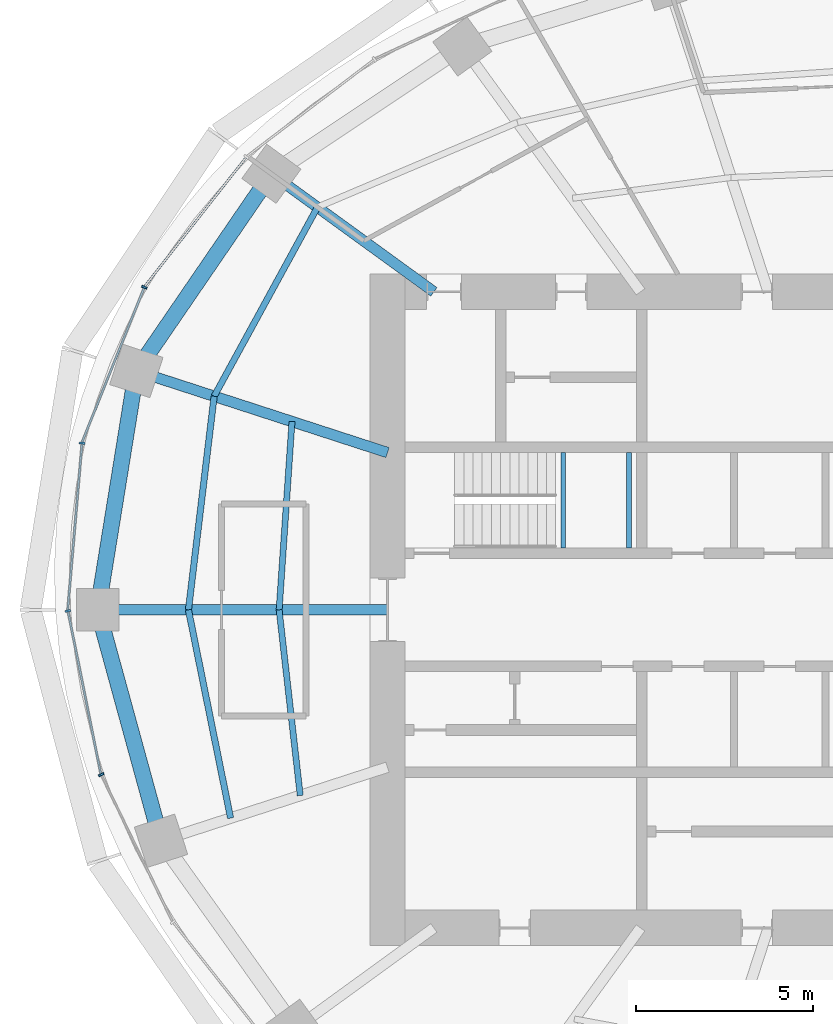
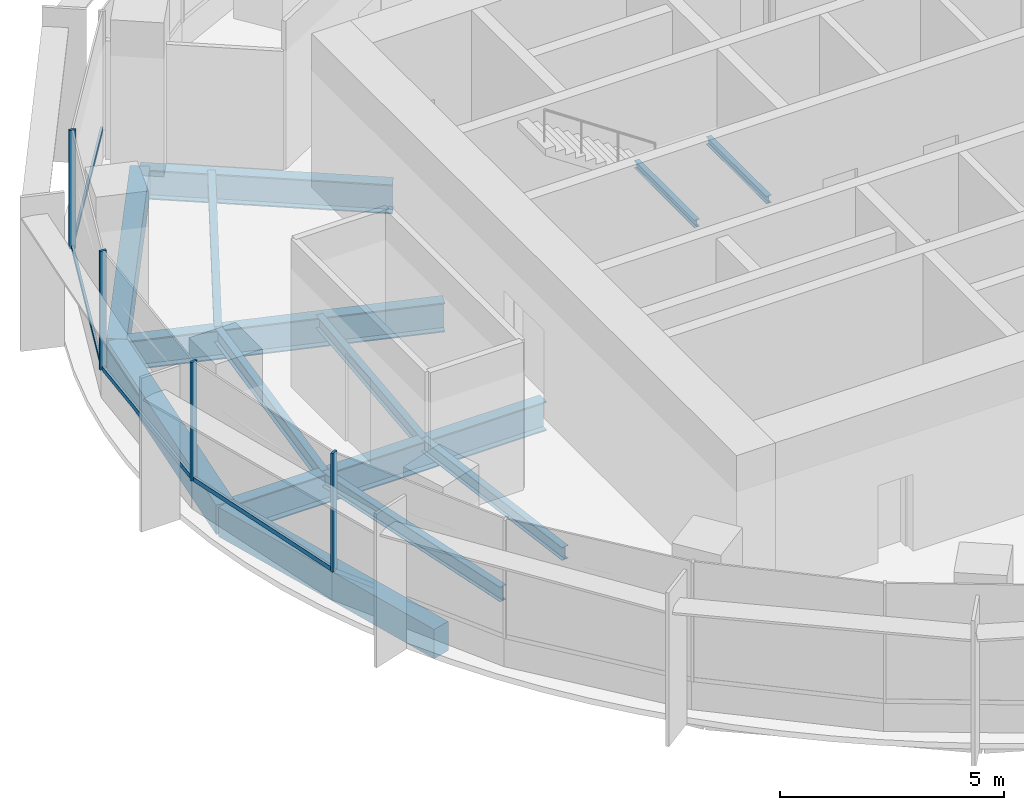
# One storey, part 4 of 13: 13 beams, 8 members, 2 elements without a shape of their own.
"""IFC4 building model written with IfcOpenShell, lengths in metres."""

import ifcopenshell
import ifcopenshell.guid

model = None  # the IFC model being written
_history = None  # IfcOwnerHistory: only IFC2X3 demands one
_inside = {}  # id of a spatial element -> (the spatial element, [elements in it])
_under = {}  # id of a project, library or spatial element -> (it, [spatial elements below it])
_declared = {}  # id of a project -> (the project, [libraries it declares])
_typed = {}  # id of a type object -> (the type object, [elements of that type])
_made_of = {}  # id of a material, layer set ... -> (it, [elements and type objects made of it])


def new_model(schema):
    """Start an empty IFC model of exactly this schema.

    Asked for "IFC4X3", IfcOpenShell would pick the latest addendum, in which some entities
    have other attributes; the version numbers below select the first issue.
    IFC2X3 requires an IfcOwnerHistory on every rooted entity: one is made here for all.
    """
    global model, _history
    if schema == "IFC4X3":
        model = ifcopenshell.file(schema_version=(4, 3, 0, 0))
    else:
        model = ifcopenshell.file(schema=schema)
    _inside.clear()
    _under.clear()
    _declared.clear()
    _typed.clear()
    _made_of.clear()
    _history = None
    if model.schema == "IFC2X3":
        org = make("IfcOrganization", Name="unknown")
        user = make(
            "IfcPersonAndOrganization",
            ThePerson=make("IfcPerson", FamilyName="unknown"),
            TheOrganization=org,
        )
        app = make(
            "IfcApplication",
            ApplicationDeveloper=org,
            Version="unknown",
            ApplicationFullName="unknown",
            ApplicationIdentifier="unknown",
        )
        _history = make(
            "IfcOwnerHistory",
            OwningUser=user,
            OwningApplication=app,
            ChangeAction="ADDED",
            CreationDate=0,
        )
    return model


def make(cls, **values):
    """One entity of the class cls with the attributes given. An attribute that is None is left unset."""
    return model.create_entity(
        cls, **{name: value for name, value in values.items() if value is not None}
    )


def rooted(cls, **values):
    """An entity with a GlobalId (a new one), such as an element, a storey or a relation."""
    return make(cls, GlobalId=ifcopenshell.guid.new(), OwnerHistory=_history, **values)


def si_unit(unit_type, name, prefix=None):
    """IfcSIUnit, for example si_unit("LENGTHUNIT", "METRE", prefix="MILLI")."""
    return make("IfcSIUnit", UnitType=unit_type, Prefix=prefix, Name=name)


def assignment(units):
    """IfcUnitAssignment: the units of a project."""
    return None if units is None else make("IfcUnitAssignment", Units=units)


def point(xyz):
    """IfcCartesianPoint."""
    return None if xyz is None else make("IfcCartesianPoint", Coordinates=xyz)


def direction(xyz):
    """IfcDirection."""
    return None if xyz is None else make("IfcDirection", DirectionRatios=xyz)


def frame(location, z_axis=None, x_axis=None):
    """IfcAxis2Placement3D, a coordinate frame: its origin and axes. An axis left out is left unset."""
    return make(
        "IfcAxis2Placement3D",
        Location=point(location),
        Axis=direction(z_axis),
        RefDirection=direction(x_axis),
    )


def frame_2d(location, x_axis=None):
    """IfcAxis2Placement2D, a coordinate frame in the plane: its origin and x axis."""
    return make(
        "IfcAxis2Placement2D", Location=point(location), RefDirection=direction(x_axis)
    )


def origin():
    """The frame at (0, 0, 0) with its axes left unset."""
    return frame((0.0, 0.0, 0.0))


def origin_2d():
    """The frame at (0, 0) in the plane with its x axis left unset."""
    return frame_2d((0.0, 0.0))


def place(relative_to, where):
    """IfcLocalPlacement: puts the frame where relative to a parent placement (None: the world)."""
    return make(
        "IfcLocalPlacement", PlacementRelTo=relative_to, RelativePlacement=where
    )


def context(
    kind, dimensions, precision=None, world=None, true_north=None, identifier=None
):
    """IfcGeometricRepresentationContext, for example the 3D "Model" context."""
    return make(
        "IfcGeometricRepresentationContext",
        ContextIdentifier=identifier,
        ContextType=kind,
        CoordinateSpaceDimension=dimensions,
        Precision=precision,
        WorldCoordinateSystem=world,
        TrueNorth=true_north,
    )


def subcontext(parent, identifier, kind, view, scale=None):
    """IfcGeometricRepresentationSubContext, for example "Body" below "Model"."""
    return make(
        "IfcGeometricRepresentationSubContext",
        ContextIdentifier=identifier,
        ContextType=kind,
        ParentContext=parent,
        TargetScale=scale,
        TargetView=view,
    )


def project(units=None, contexts=None):
    """IfcProject with its units and contexts."""
    return rooted(
        "IfcProject",
        Name="project",
        RepresentationContexts=contexts,
        UnitsInContext=assignment(units),
    )


def spatial(cls, under=None, at=None, **own):
    """A site, building, storey or space (cls), placed at a placement, below another one or the project."""
    s = rooted(cls, ObjectPlacement=at, **own)
    if under is not None:
        _under.setdefault(under.id(), (under, []))[1].append(s)
    return s


def profile(cls, at=None, kind="AREA", **sizes):
    """A parametric profile (cls). Its sizes go by their IFC names, for example OverallWidth=200.0."""
    return make(cls, ProfileType=kind, Position=at, **sizes)


def rectangle(**sizes):
    """IfcRectangleProfileDef."""
    return profile("IfcRectangleProfileDef", **sizes)


def i_section(**sizes):
    """IfcIShapeProfileDef."""
    return profile("IfcIShapeProfileDef", **sizes)


def extrude(swept, where, along, depth):
    """IfcExtrudedAreaSolid: the profile swept, set in the frame where, extruded along a direction by depth."""
    return make(
        "IfcExtrudedAreaSolid",
        SweptArea=swept,
        Position=where,
        ExtrudedDirection=direction(along),
        Depth=depth,
    )


def shape(context_of_items, identifier, shape_type, items):
    """IfcShapeRepresentation: the items that make up one representation, for example the "Body"."""
    return make(
        "IfcShapeRepresentation",
        ContextOfItems=context_of_items,
        RepresentationIdentifier=identifier,
        RepresentationType=shape_type,
        Items=items,
    )


def material(Name=None, Category=None):
    """IfcMaterial."""
    return make("IfcMaterial", Name=Name, Category=Category)


def material_profile(
    of_material, cross_section, Name=None, Category=None, Priority=None
):
    """IfcMaterialProfile: a cross section and its material."""
    return make(
        "IfcMaterialProfile",
        Name=Name,
        Material=of_material,
        Profile=cross_section,
        Priority=Priority,
        Category=Category,
    )


def profile_set(profiles, Name=None, composite=None):
    """IfcMaterialProfileSet."""
    return make(
        "IfcMaterialProfileSet",
        Name=Name,
        MaterialProfiles=profiles,
        CompositeProfile=composite,
    )


def made_of(thing, what):
    """Note that an element or type object is made of a material, layer set ...; save() writes the relation."""
    if what is not None:
        _made_of.setdefault(what.id(), (what, []))[1].append(thing)
    return thing


def type_object(cls, material=None, **own):
    """A type object (cls), such as IfcWallType, which elements share."""
    return made_of(rooted(cls, **own), material)


def element(
    cls,
    number,
    at=None,
    inside=None,
    cuts=None,
    type_object=None,
    material=None,
    context=None,
    identifier="Body",
    shape_type=None,
    held_by="IfcProductDefinitionShape",
    body=None,
    shapes=None,
    **own,
):
    """One element of the class cls, such as IfcWall. Its Tag is "e" and its number.

    at: its placement. inside: the storey or other place that contains it. cuts: it is an
    opening in that element (IfcRelVoidsElement). A single representation is given by context,
    identifier, shape_type and body (its items); several are given by shapes. held_by: the class
    of the entity that holds the representations. save() writes the other relations.
    """
    e = rooted(cls, Tag="e%d" % number, ObjectPlacement=at, **own)
    if body is not None:
        shapes = [shape(context, identifier, shape_type, body)]
    if shapes is not None:
        e.Representation = make(held_by, Representations=shapes)
    if inside is not None:
        _inside.setdefault(inside.id(), (inside, []))[1].append(e)
    if cuts is not None:
        rooted(
            "IfcRelVoidsElement", RelatingBuildingElement=cuts, RelatedOpeningElement=e
        )
    if type_object is not None:
        _typed.setdefault(type_object.id(), (type_object, []))[1].append(e)
    return made_of(e, material)


def aggregate(whole, parts):
    """IfcRelAggregates: a whole, such as a stair, and the parts it consists of."""
    return rooted("IfcRelAggregates", RelatingObject=whole, RelatedObjects=parts)


def save(model, path):
    """Write the relations noted so far, then the file.

    IfcRelAggregates (storeys below a building ...), IfcRelContainedInSpatialStructure (elements
    in a storey), IfcRelDefinesByType, IfcRelAssociatesMaterial and IfcRelDeclares: one each for
    every whole, place, type object, material and project.
    """
    for whole, parts in _under.values():
        aggregate(whole, parts)
    for where, things in _inside.values():
        rooted(
            "IfcRelContainedInSpatialStructure",
            RelatedElements=things,
            RelatingStructure=where,
        )
    for kind, things in _typed.values():
        rooted("IfcRelDefinesByType", RelatedObjects=things, RelatingType=kind)
    for what, things in _made_of.values():
        rooted("IfcRelAssociatesMaterial", RelatedObjects=things, RelatingMaterial=what)
    for by, libraries in _declared.values():
        rooted("IfcRelDeclares", RelatingContext=by, RelatedDefinitions=libraries)
    model.write(path)


model = new_model("IFC4")

# Units and contexts
model_context = context("Model", 3, precision=1e-05, world=origin(), true_north=direction((0.0, 1.0)))
body_context = subcontext(model_context, "Body", "Model", "MODEL_VIEW")
ifc_project = project(units=[si_unit("LENGTHUNIT", "METRE"), si_unit("AREAUNIT", "SQUARE_METRE"), si_unit("VOLUMEUNIT", "CUBIC_METRE"), si_unit("PLANEANGLEUNIT", "RADIAN"), si_unit("MASSUNIT", "GRAM", prefix="KILO")], contexts=[model_context])

# Site, building, storey
site_placement = place(None, origin())
site = spatial("IfcSite", under=ifc_project, at=site_placement, CompositionType="ELEMENT")
building_placement = place(site_placement, origin())
building = spatial("IfcBuilding", under=site, at=building_placement, Name="Marramba Exchange Tower", CompositionType="ELEMENT")
storey_placement = place(building_placement, frame((0.0, 0.0, 256.0)))
storey = spatial("IfcBuildingStorey", under=building, at=storey_placement, Name="L62", CompositionType="ELEMENT", Elevation=256.0)

# Curtain wall, members
ifc_material_1 = material(Name="Aluminium framing, bronze anodised", Category="aluminium")
curtain_wall_type = type_object("IfcCurtainWallType", Name="Executive floor ribbon curtain wall", PredefinedType="USERDEFINED", material=ifc_material_1)
curtain_wall_1_placement = place(storey_placement, origin())
curtain_wall_1 = element("IfcCurtainWall", 1, at=curtain_wall_1_placement, inside=storey, type_object=curtain_wall_type, Name="Curtain wall CW5 L62 F11-F15", ObjectType="RIBBON CURTAIN WALL", PredefinedType="USERDEFINED")
ifc_material_2 = material(Name="Aluminium mullion, bronze anodised", Category="aluminium")
ifc_material_profile_1 = material_profile(ifc_material_2, rectangle(XDim=0.159912109375, YDim=0.06005859375, at=origin_2d()), Name="CW5 mullion 60x160")
ifc_profile_set_1 = profile_set([ifc_material_profile_1], Name="Aluminium mullion, bronze anodised")
member_type_1 = type_object("IfcMemberType", Name="Executive floor ribbon curtain wall mullion", PredefinedType="MULLION", material=ifc_profile_set_1)
member_1_placement = place(storey_placement, frame((-20.580810546875, 9.13037109375, 0.800048828125), z_axis=(0.0, 0.0, 1.0), x_axis=(0.927838139977, -0.372983090774, 0.0)))
member_1 = element("IfcMember", 2, at=member_1_placement, type_object=member_type_1, Name="CW5 mullion 1", PredefinedType="MULLION", context=body_context, shape_type="SweptSolid", body=[
    extrude(rectangle(XDim=0.159912109375, YDim=0.06005859375, at=origin_2d()), origin(), (0.0, 0.0, 1.0), 3.239990234375),
])
member_2_placement = place(storey_placement, frame((-22.3447265625, 4.718994140625, 0.800048828125), z_axis=(0.0, 0.0, 1.0), x_axis=(0.996331816632, -0.085574009881, 0.0)))
member_2 = element("IfcMember", 3, at=member_2_placement, type_object=member_type_1, Name="CW5 mullion 1", PredefinedType="MULLION", context=body_context, shape_type="SweptSolid", body=[
    extrude(rectangle(XDim=0.159912109375, YDim=0.06005859375, at=origin_2d()), origin(), (0.0, 0.0, 1.0), 3.239990234375),
])

curtain_wall_2_placement = place(storey_placement, origin())
curtain_wall_2 = element("IfcCurtainWall", 4, at=curtain_wall_2_placement, inside=storey, type_object=curtain_wall_type, Name="Curtain wall CW5 L62 F16-F20", ObjectType="RIBBON CURTAIN WALL", PredefinedType="USERDEFINED")
member_3_placement = place(storey_placement, frame((-22.744140625, -0.029296875, 0.800048828125), z_axis=(0.0, 0.0, 1.0), x_axis=(0.980268514856, 0.19767053089, 0.0)))
member_3 = element("IfcMember", 5, at=member_3_placement, type_object=member_type_1, Name="CW5 mullion 1", PredefinedType="MULLION", context=body_context, shape_type="SweptSolid", body=[
    extrude(rectangle(XDim=0.159912109375, YDim=0.06005859375, at=origin_2d()), origin(), (0.0, 0.0, 1.0), 3.239990234375),
])
member_4_placement = place(storey_placement, frame((-21.8017578125, -4.663818359375, 0.800048828125), z_axis=(0.0, 0.0, 1.0), x_axis=(0.89969718031, 0.436514585945, 0.0)))
member_4 = element("IfcMember", 6, at=member_4_placement, type_object=member_type_1, Name="CW5 mullion 1", PredefinedType="MULLION", context=body_context, shape_type="SweptSolid", body=[
    extrude(rectangle(XDim=0.159912109375, YDim=0.06005859375, at=origin_2d()), origin(), (0.0, 0.0, 1.0), 3.239990234375),
])

# Member
ifc_material_3 = material(Name="Aluminium transom, bronze anodised", Category="aluminium")
ifc_material_profile_2 = material_profile(ifc_material_3, rectangle(XDim=0.06005859375, YDim=0.1201171875, at=origin_2d()), Name="CW5 transom 60x120")
ifc_profile_set_2 = profile_set([ifc_material_profile_2], Name="Aluminium transom, bronze anodised")
member_type_2 = type_object("IfcMemberType", Name="Executive floor ribbon curtain wall transom", PredefinedType="USERDEFINED", material=ifc_profile_set_2)
member_5_placement = place(storey_placement, frame((-17.71044921875, 12.793212890625, 0.830078125), z_axis=(-0.618229471001, -0.785997659784, 0.0), x_axis=(0.785997659784, -0.618229471001, 0.0)))
member_5 = element("IfcMember", 7, at=member_5_placement, type_object=member_type_2, Name="CW5 sill transom", ObjectType="TRANSOM", PredefinedType="USERDEFINED", context=body_context, shape_type="SweptSolid", body=[
    extrude(rectangle(XDim=0.06005859375, YDim=0.1201171875, at=origin_2d()), origin(), (0.0, 0.0, 1.0), 4.624755859375),
])

member_6_placement = place(storey_placement, frame((-20.592041015625, 9.1025390625, 0.830078125), z_axis=(-0.372969057001, -0.927843781312, 0.0), x_axis=(0.927843781312, -0.372969057001, 0.0)))
member_6 = element("IfcMember", 8, at=member_6_placement, type_object=member_type_2, Name="CW5 sill transom", ObjectType="TRANSOM", PredefinedType="USERDEFINED", context=body_context, shape_type="SweptSolid", body=[
    extrude(rectangle(XDim=0.06005859375, YDim=0.1201171875, at=origin_2d()), origin(), (0.0, 0.0, 1.0), 4.692138671875),
])

member_7_placement = place(storey_placement, frame((-22.34716796875, 4.689208984375, 0.830078125), z_axis=(-0.085590935521, -0.99633036276, 0.0), x_axis=(0.99633036276, -0.085590935521, 0.0)))
member_7 = element("IfcMember", 9, at=member_7_placement, type_object=member_type_2, Name="CW5 sill transom", ObjectType="TRANSOM", PredefinedType="USERDEFINED", context=body_context, shape_type="SweptSolid", body=[
    extrude(rectangle(XDim=0.06005859375, YDim=0.1201171875, at=origin_2d()), origin(), (0.0, 0.0, 1.0), 4.70654296875),
])

aggregate(curtain_wall_1, [member_5, member_1, member_6, member_2, member_7])

member_8_placement = place(storey_placement, frame((-22.738037109375, -0.058837890625, 0.830078125), z_axis=(0.197654002556, -0.980271847639, 0.0), x_axis=(0.980271847639, 0.197654002556, 0.0)))
member_8 = element("IfcMember", 10, at=member_8_placement, type_object=member_type_2, Name="CW5 sill transom", ObjectType="TRANSOM", PredefinedType="USERDEFINED", context=body_context, shape_type="SweptSolid", body=[
    extrude(rectangle(XDim=0.06005859375, YDim=0.1201171875, at=origin_2d()), origin(), (0.0, 0.0, 1.0), 4.670166015625),
])

aggregate(curtain_wall_2, [member_3, member_8, member_4])

# Beams
ifc_material_4 = material(Name="Steel AS/NZS 3679.1 grade 300", Category="steel")
ifc_material_profile_3 = material_profile(ifc_material_4, i_section(OverallWidth=0.1708984375, OverallDepth=0.35595703125, WebThickness=0.00732421875, FlangeThickness=0.011474609375, FilletRadius=0.011474609375, at=origin_2d()), Name="360UB50.7")
ifc_profile_set_3 = profile_set([ifc_material_profile_3], Name="Steel AS/NZS 3679.1 grade 300")
beam_type_1 = type_object("IfcBeamType", Name="Floor joist 360UB50.7", PredefinedType="JOIST", material=ifc_profile_set_3)
beam_1_placement = place(storey_placement, frame((-16.40283203125, 5.32958984375, -0.337890625), z_axis=(-0.068096259546, -0.99767875563, 0.0), x_axis=(0.99767875563, -0.068096259546, 0.0)))
element("IfcBeam", 11, at=beam_1_placement, inside=storey, type_object=beam_type_1, Name="Joist L62 bay 10 row 1", PredefinedType="JOIST", context=body_context, shape_type="SweptSolid", body=[
    extrude(i_section(OverallWidth=0.1708984375, OverallDepth=0.35595703125, WebThickness=0.00732421875, FlangeThickness=0.011474609375, FilletRadius=0.011474609375, at=origin_2d()), origin(), (0.0, 0.0, 1.0), 5.342041015625),
])
beam_2_placement = place(storey_placement, frame((-16.7666015625, 0.0, -0.337890625), z_axis=(0.112888968594, -0.993607609054, 0.0), x_axis=(0.993607609054, 0.112888968594, 0.0)))
element("IfcBeam", 12, at=beam_2_placement, inside=storey, type_object=beam_type_1, Name="Joist L62 bay 11 row 1", PredefinedType="JOIST", context=body_context, shape_type="SweptSolid", body=[
    extrude(i_section(OverallWidth=0.1708984375, OverallDepth=0.35595703125, WebThickness=0.00732421875, FlangeThickness=0.011474609375, FilletRadius=0.011474609375, at=origin_2d()), origin(), (0.0, 0.0, 1.0), 5.28759765625),
])
ifc_material_profile_4 = material_profile(ifc_material_4, i_section(OverallWidth=0.177978515625, OverallDepth=0.403076171875, WebThickness=0.007568359375, FlangeThickness=0.010986328125, FilletRadius=0.011474609375, at=origin_2d()), Name="410UB53.7")
ifc_profile_set_4 = profile_set([ifc_material_profile_4], Name="Steel AS/NZS 3679.1 grade 300")
beam_type_2 = type_object("IfcBeamType", Name="Floor joist 410UB53.7", PredefinedType="JOIST", material=ifc_profile_set_4)
beam_3_placement = place(storey_placement, frame((-15.682373046875, 11.393798828125, -0.361572265625), z_axis=(-0.479584443791, -0.877495732909, 0.0), x_axis=(0.877495732909, -0.479584443791, 0.0)))
element("IfcBeam", 13, at=beam_3_placement, inside=storey, type_object=beam_type_2, Name="Joist L62 bay 09 row 2", PredefinedType="JOIST", context=body_context, shape_type="SweptSolid", body=[
    extrude(i_section(OverallWidth=0.177978515625, OverallDepth=0.403076171875, WebThickness=0.007568359375, FlangeThickness=0.010986328125, FilletRadius=0.011474609375, at=origin_2d()), origin(), (0.0, 0.0, 1.0), 6.094970703125),
])
beam_4_placement = place(storey_placement, frame((-18.60546875, 6.04541015625, -0.361572265625), z_axis=(-0.119523078538, -0.992831422597, 0.0), x_axis=(0.992831422597, -0.119523078538, 0.0)))
element("IfcBeam", 14, at=beam_4_placement, inside=storey, type_object=beam_type_2, Name="Joist L62 bay 10 row 2", PredefinedType="JOIST", context=body_context, shape_type="SweptSolid", body=[
    extrude(i_section(OverallWidth=0.177978515625, OverallDepth=0.403076171875, WebThickness=0.007568359375, FlangeThickness=0.010986328125, FilletRadius=0.011474609375, at=origin_2d()), origin(), (0.0, 0.0, 1.0), 6.089111328125),
])
beam_5_placement = place(storey_placement, frame((-19.333251953125, 0.0, -0.361572265625), z_axis=(0.198489047047, -0.980103105904, 0.0), x_axis=(0.980103105904, 0.198489047047, 0.0)))
element("IfcBeam", 15, at=beam_5_placement, inside=storey, type_object=beam_type_2, Name="Joist L62 bay 11 row 2", PredefinedType="JOIST", context=body_context, shape_type="SweptSolid", body=[
    extrude(i_section(OverallWidth=0.177978515625, OverallDepth=0.403076171875, WebThickness=0.007568359375, FlangeThickness=0.010986328125, FilletRadius=0.011474609375, at=origin_2d()), origin(), (0.0, 0.0, 1.0), 6.013427734375),
])
ifc_material_5 = material(Name="Steel AS/NZS 3679.2 grade 300", Category="steel")
ifc_material_profile_5 = material_profile(ifc_material_5, i_section(OverallWidth=0.300048828125, OverallDepth=0.800048828125, WebThickness=0.013916015625, FlangeThickness=0.031982421875, at=origin_2d()), Name="800WB192")
ifc_profile_set_5 = profile_set([ifc_material_profile_5], Name="Steel AS/NZS 3679.2 grade 300")
beam_type_3 = type_object("IfcBeamType", Name="Radial girder 800WB192", PredefinedType="BEAM", material=ifc_profile_set_5)
beam_6_placement = place(storey_placement, frame((-12.387451171875, 9.0, -0.56005859375), z_axis=(-0.809025746925, 0.587773205252, 0.0), x_axis=(-0.587773205252, -0.809025746925, 0.0)))
element("IfcBeam", 16, at=beam_6_placement, inside=storey, type_object=beam_type_3, Name="Radial girder L62 TC09", PredefinedType="BEAM", context=body_context, shape_type="SweptSolid", body=[
    extrude(i_section(OverallWidth=0.300048828125, OverallDepth=0.800048828125, WebThickness=0.013916015625, FlangeThickness=0.031982421875, at=origin_2d()), origin(), (0.0, 0.0, 1.0), 5.683837890625),
])
beam_7_placement = place(storey_placement, frame((-13.699951171875, 4.451416015625, -0.56005859375), z_axis=(-0.951059990189, 0.309006302624, 0.0), x_axis=(-0.309006302624, -0.951059990189, 0.0)))
element("IfcBeam", 17, at=beam_7_placement, inside=storey, type_object=beam_type_3, Name="Radial girder L62 TC10", PredefinedType="BEAM", context=body_context, shape_type="SweptSolid", body=[
    extrude(i_section(OverallWidth=0.300048828125, OverallDepth=0.800048828125, WebThickness=0.013916015625, FlangeThickness=0.031982421875, at=origin_2d()), origin(), (0.0, 0.0, 1.0), 7.47412109375),
])
beam_8_placement = place(storey_placement, frame((-13.699951171875, 0.0, -0.56005859375), z_axis=(-1.0, 0.0, 0.0), x_axis=(0.0, -1.0, 0.0)))
element("IfcBeam", 18, at=beam_8_placement, inside=storey, type_object=beam_type_3, Name="Radial girder L62 TC11", PredefinedType="BEAM", context=body_context, shape_type="SweptSolid", body=[
    extrude(i_section(OverallWidth=0.300048828125, OverallDepth=0.800048828125, WebThickness=0.013916015625, FlangeThickness=0.031982421875, at=origin_2d()), origin(), (0.0, 0.0, 1.0), 8.199951171875),
])
ifc_material_6 = material(Name="Concrete N50", Category="concrete")
ifc_material_profile_6 = material_profile(ifc_material_6, rectangle(XDim=0.449951171875, YDim=0.800048828125, at=origin_2d()), Name="RC 450x800")
ifc_profile_set_6 = profile_set([ifc_material_profile_6], Name="Concrete N50")
beam_type_4 = type_object("IfcBeamType", Name="Ring beam RC 450x800 N50", PredefinedType="SPANDREL", material=ifc_profile_set_6)
beam_9_placement = place(storey_placement, frame((-16.98583984375, 12.3408203125, -0.56005859375), z_axis=(-0.56516002054, -0.824981303535, 0.0), x_axis=(0.824981303535, -0.56516002054, 0.0)))
element("IfcBeam", 19, at=beam_9_placement, inside=storey, type_object=beam_type_4, Name="Ring beam L62 TC09-TC10", PredefinedType="SPANDREL", context=body_context, shape_type="SweptSolid", body=[
    extrude(rectangle(XDim=0.449951171875, YDim=0.800048828125, at=origin_2d()), origin(), (0.0, 0.0, 1.0), 6.763671875),
])
beam_10_placement = place(storey_placement, frame((-20.808349609375, 6.760986328125, -0.56005859375), z_axis=(-0.159384865399, -0.987216523708, 0.0), x_axis=(0.987216523708, -0.159384865399, 0.0)))
element("IfcBeam", 20, at=beam_10_placement, inside=storey, type_object=beam_type_4, Name="Ring beam L62 TC10-TC11", PredefinedType="SPANDREL", context=body_context, shape_type="SweptSolid", body=[
    extrude(rectangle(XDim=0.449951171875, YDim=0.800048828125, at=origin_2d()), origin(), (0.0, 0.0, 1.0), 6.8486328125),
])
beam_11_placement = place(storey_placement, frame((-21.89990234375, 0.0, -0.56005859375), z_axis=(0.264291166956, -0.964442937176, 0.0), x_axis=(0.964442937176, 0.264291166956, 0.0)))
element("IfcBeam", 21, at=beam_11_placement, inside=storey, type_object=beam_type_4, Name="Ring beam L62 TC11-TC12", PredefinedType="SPANDREL", context=body_context, shape_type="SweptSolid", body=[
    extrude(rectangle(XDim=0.449951171875, YDim=0.800048828125, at=origin_2d()), origin(), (0.0, 0.0, 1.0), 6.77490234375),
])
ifc_material_profile_7 = material_profile(ifc_material_4, i_section(OverallWidth=0.133056640625, OverallDepth=0.202880859375, WebThickness=0.005859375, FlangeThickness=0.0078125, FilletRadius=0.0087890625, at=origin_2d()), Name="200UB25.4")
ifc_profile_set_7 = profile_set([ifc_material_profile_7], Name="Steel AS/NZS 3679.1 grade 300")
beam_type_5 = type_object("IfcBeamType", Name="Stair landing beam 200UB25.4", PredefinedType="BEAM", material=ifc_profile_set_7)
for number, where, z_axis, x_axis, name in (
    (22, (-8.723388671875, 1.75, 1.798583984375), (0.0, 1.0, 0.0), (-1.0, 0.0, 0.0), "Stair landing beam SLB1 ST1 L62 1"),
    (23, (-6.866455078125, 1.75, 1.798583984375), (0.0, 1.0, 0.0), (-1.0, 0.0, 0.0), "Stair landing beam SLB1 ST1 L62 2"),
):
    element("IfcBeam", number, at=place(storey_placement, frame(where, z_axis=z_axis, x_axis=x_axis)), inside=storey, type_object=beam_type_5, Name=name, PredefinedType="BEAM", context=body_context, shape_type="SweptSolid", body=[
        extrude(i_section(OverallWidth=0.133056640625, OverallDepth=0.202880859375, WebThickness=0.005859375, FlangeThickness=0.0078125, FilletRadius=0.0087890625, at=origin_2d()), origin(), (0.0, 0.0, 1.0), 2.699951171875),
    ])

save(model, "model.ifc")
